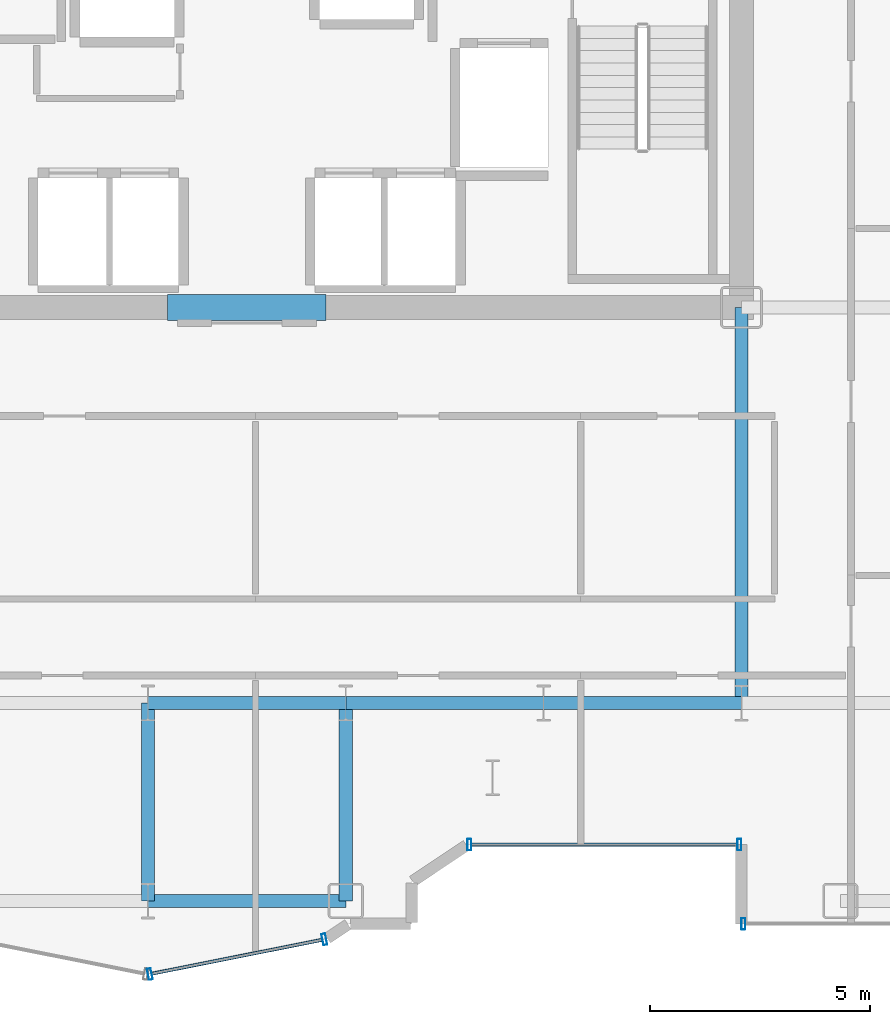
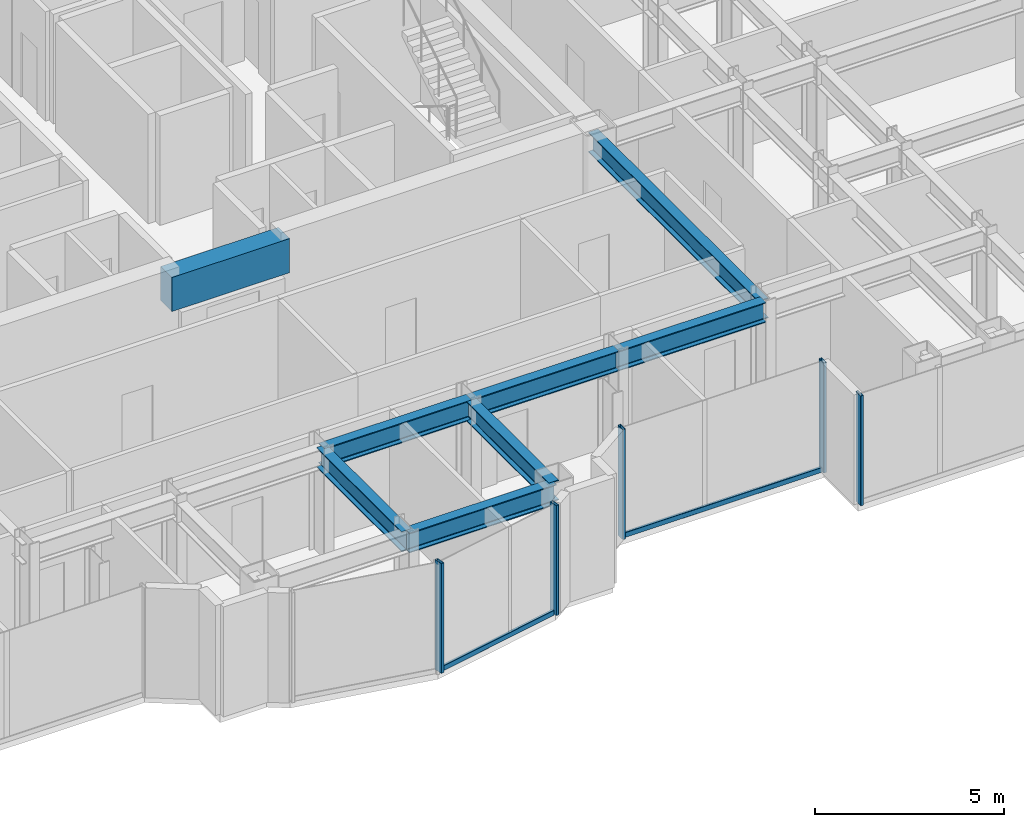
# One storey, part 7 of 23: 8 beams, 7 members, 3 elements without a shape of their own.
"""IFC4 building model written with IfcOpenShell, lengths in metres."""

from ifc_helpers import new_model, si_unit, direction, frame, origin, origin_2d, place, context, subcontext, project, spatial, rectangle, hollow_rectangle, i_section, extrude, source, transform, mapped, material, layer, layer_set, material_profile, profile_set, type_object, element, aggregate, save


model = new_model("IFC4")

# Units and contexts
model_context = context("Model", 3, precision=1e-05, world=origin(), true_north=direction((0.0, 1.0)))
body_context = subcontext(model_context, "Body", "Model", "MODEL_VIEW")
ifc_project = project(units=[si_unit("LENGTHUNIT", "METRE"), si_unit("AREAUNIT", "SQUARE_METRE"), si_unit("VOLUMEUNIT", "CUBIC_METRE"), si_unit("PLANEANGLEUNIT", "RADIAN"), si_unit("MASSUNIT", "GRAM", prefix="KILO")], contexts=[model_context])

# Site, building, storey
site_placement = place(None, origin())
site = spatial("IfcSite", under=ifc_project, at=site_placement, CompositionType="ELEMENT")
building_placement = place(site_placement, origin())
building = spatial("IfcBuilding", under=site, at=building_placement, Name="Nefas-Gora Pilgrimage Tower", CompositionType="ELEMENT")
storey_placement = place(building_placement, frame((0.0, 0.0, 167.800048828125)))
storey = spatial("IfcBuildingStorey", under=building, at=storey_placement, Name="L41", CompositionType="ELEMENT", Elevation=167.800048828125)

# Beams
ifc_material_1 = material(Name="Concrete C60/75", Category="concrete")
ifc_material_profile_1 = material_profile(ifc_material_1, rectangle(XDim=0.60009765625, YDim=1.10009765625, at=origin_2d()), Name="RC 600x1100")
ifc_profile_set_1 = profile_set([ifc_material_profile_1], Name="Concrete C60/75")
beam_type_1 = type_object("IfcBeamType", Name="BM-LIN-RC1100", PredefinedType="LINTEL", material=ifc_profile_set_1)
shared_shape_1 = source(origin(), body_context, "Body", "SweptSolid", [
    extrude(rectangle(XDim=0.60009765625, YDim=1.10009765625, at=origin_2d()), origin(), (0.0, 0.0, 1.0), 3.60009765625),
])
beam_1_placement = place(storey_placement, frame((-1.800048828125, -9.0, 3.0), z_axis=(1.0, 0.0, 0.0), x_axis=(0.0, 1.0, 0.0)))
element("IfcBeam", 1, at=beam_1_placement, inside=storey, type_object=beam_type_1, Name="L41 Core Coupling Lintel Beam S", PredefinedType="LINTEL", context=body_context, shape_type="MappedRepresentation", body=[
    mapped(shared_shape_1, transform((0.0, 0.0, 0.0), x_axis=(1.0, 0.0, 0.0), y_axis=(0.0, 1.0, 0.0), z_axis=(0.0, 0.0, 1.0), scale=1.0)),
])
ifc_material_2 = material(Name="Steel S355", Category="steel")
ifc_material_profile_2 = material_profile(ifc_material_2, i_section(OverallWidth=0.300048828125, OverallDepth=0.64990234375, WebThickness=0.01611328125, FlangeThickness=0.031005859375, FilletRadius=0.027099609375, at=origin_2d()), Name="HEB 650")
ifc_profile_set_2 = profile_set([ifc_material_profile_2], Name="Steel S355")
beam_type_2 = type_object("IfcBeamType", Name="BM-GIR-HEB650", PredefinedType="BEAM", material=ifc_profile_set_2)
shared_shape_2 = source(origin(), body_context, "Body", "SweptSolid", [
    extrude(i_section(OverallWidth=0.300048828125, OverallDepth=0.64990234375, WebThickness=0.01611328125, FlangeThickness=0.031005859375, FilletRadius=0.027099609375, at=origin_2d()), origin(), (0.0, 0.0, 1.0), 9.0),
])
beam_2_placement = place(storey_placement, frame((11.25, -18.0, 3.224853515625), z_axis=(0.0, 1.0, 0.0), x_axis=(-1.0, 0.0, 0.0)))
element("IfcBeam", 2, at=beam_2_placement, inside=storey, type_object=beam_type_2, Name="L41 G-03 beam", PredefinedType="BEAM", context=body_context, shape_type="MappedRepresentation", body=[
    mapped(shared_shape_2, transform((0.0, 0.0, 0.0), x_axis=(1.0, 0.0, 0.0), y_axis=(0.0, 1.0, 0.0), z_axis=(0.0, 0.0, 1.0), scale=1.0)),
])
shared_shape_3 = source(origin(), body_context, "Body", "SweptSolid", [
    extrude(i_section(OverallWidth=0.300048828125, OverallDepth=0.64990234375, WebThickness=0.01611328125, FlangeThickness=0.031005859375, FilletRadius=0.027099609375, at=origin_2d()), origin(), (0.0, 0.0, 1.0), 4.5),
])
for number, where, z_axis, x_axis, name in (
    (3, (-2.25, -22.5, 3.224853515625), (0.0, 1.0, 0.0), (-1.0, 0.0, 0.0), "L41 G-03 beam"),
    (4, (-2.25, -22.5, 3.224853515625), (1.0, 0.0, 0.0), (0.0, 1.0, 0.0), "L41 G-03 beam"),
    (5, (-2.25, -18.0, 3.224853515625), (1.0, 0.0, 0.0), (0.0, 1.0, 0.0), "L41 G-03 beam"),
    (6, (2.25, -22.5, 3.224853515625), (0.0, 1.0, 0.0), (-1.0, 0.0, 0.0), "L41 G-03 beam"),
    (7, (2.25, -18.0, 3.224853515625), (1.0, 0.0, 0.0), (0.0, 1.0, 0.0), "L41 G-03 beam"),
    (8, (6.75, -18.0, 3.224853515625), (1.0, 0.0, 0.0), (0.0, 1.0, 0.0), "L41 G-03 beam"),
):
    element("IfcBeam", number, at=place(storey_placement, frame(where, z_axis=z_axis, x_axis=x_axis)), inside=storey, type_object=beam_type_2, Name=name, PredefinedType="BEAM", context=body_context, shape_type="MappedRepresentation", body=[
        mapped(shared_shape_3, transform((0.0, 0.0, 0.0), x_axis=(1.0, 0.0, 0.0), y_axis=(0.0, 1.0, 0.0), z_axis=(0.0, 0.0, 1.0), scale=1.0)),
    ])

# Curtain wall, members
ifc_material_3 = material(Name="Dark ceramic-fritted solar-control aluminium-glass curtain wall", Category="aluminium")
ifc_layer_1 = layer(ifc_material_3, 0.219970703125)
ifc_layer_set_1 = layer_set([ifc_layer_1], Name="Dark ceramic-fritted solar-control aluminium-glass curtain wall")
curtain_wall_type_1 = type_object("IfcCurtainWallType", Name="CW-SYS-5", PredefinedType="NOTDEFINED", material=ifc_layer_set_1)
curtain_wall_1_placement = place(storey_placement, origin())
curtain_wall_1 = element("IfcCurtainWall", 9, at=curtain_wall_1_placement, inside=storey, type_object=curtain_wall_type_1, Name="L41 Unitised Curtain Wall CW5", PredefinedType="NOTDEFINED")
ifc_material_4 = material(Name="Anodised architectural aluminium", Category="aluminium")
ifc_material_profile_3 = material_profile(ifc_material_4, hollow_rectangle(XDim=0.090087890625, YDim=0.260009765625, WallThickness=0.006103515625, InnerFilletRadius=0.006103515625, OuterFilletRadius=0.011962890625, at=origin_2d()), Name="ALU MULLION 90x260")
ifc_profile_set_3 = profile_set([ifc_material_profile_3], Name="Anodised architectural aluminium")
member_type_1 = type_object("IfcMemberType", Name="CWM-MUL-5", PredefinedType="MULLION", material=ifc_profile_set_3)
shared_shape_4 = source(origin(), body_context, "Body", "SweptSolid", [
    extrude(hollow_rectangle(XDim=0.090087890625, YDim=0.260009765625, WallThickness=0.006103515625, InnerFilletRadius=0.006103515625, OuterFilletRadius=0.011962890625, at=origin_2d()), origin(), (0.0, 0.0, 1.0), 3.550048828125),
])
member_1_placement = place(storey_placement, frame((5.06298828125, -21.219970703125, 0.0), z_axis=(0.0, 0.0, 1.0), x_axis=(1.0, 0.0, 0.0)))
member_1 = element("IfcMember", 10, at=member_1_placement, type_object=member_type_1, Name="CW5 Mullion 1", PredefinedType="MULLION", context=body_context, shape_type="MappedRepresentation", body=[
    mapped(shared_shape_4, transform((0.0, 0.0, 0.0), x_axis=(1.0, 0.0, 0.0), y_axis=(0.0, 1.0, 0.0), z_axis=(0.0, 0.0, 1.0), scale=1.0)),
])
member_2_placement = place(storey_placement, frame((11.205078125, -21.219970703125, 0.0), z_axis=(0.0, 0.0, 1.0), x_axis=(1.0, 0.0, 0.0)))
member_2 = element("IfcMember", 11, at=member_2_placement, type_object=member_type_1, Name="CW5 Mullion 2", PredefinedType="MULLION", context=body_context, shape_type="MappedRepresentation", body=[
    mapped(shared_shape_4, transform((0.0, 0.0, 0.0), x_axis=(1.0, 0.0, 0.0), y_axis=(0.0, 1.0, 0.0), z_axis=(0.0, 0.0, 1.0), scale=1.0)),
])

curtain_wall_2_placement = place(storey_placement, origin())
curtain_wall_2 = element("IfcCurtainWall", 12, at=curtain_wall_2_placement, inside=storey, type_object=curtain_wall_type_1, Name="L41 Unitised Curtain Wall CW5", PredefinedType="NOTDEFINED")
member_3_placement = place(storey_placement, frame((-2.205810546875, -24.16357421875, 0.0), z_axis=(0.0, 0.0, 1.0), x_axis=(0.980782896852, 0.195102304554, 0.0)))
member_3 = element("IfcMember", 13, at=member_3_placement, type_object=member_type_1, Name="CW5 Mullion 1", PredefinedType="MULLION", context=body_context, shape_type="MappedRepresentation", body=[
    mapped(shared_shape_4, transform((0.0, 0.0, 0.0), x_axis=(1.0, 0.0, 0.0), y_axis=(0.0, 1.0, 0.0), z_axis=(0.0, 0.0, 1.0), scale=1.0)),
])
member_4_placement = place(storey_placement, frame((1.76318359375, -23.3740234375, 0.0), z_axis=(0.0, 0.0, 1.0), x_axis=(0.980782896852, 0.195102304554, 0.0)))
member_4 = element("IfcMember", 14, at=member_4_placement, type_object=member_type_1, Name="CW5 Mullion 2", PredefinedType="MULLION", context=body_context, shape_type="MappedRepresentation", body=[
    mapped(shared_shape_4, transform((0.0, 0.0, 0.0), x_axis=(1.0, 0.0, 0.0), y_axis=(0.0, 1.0, 0.0), z_axis=(0.0, 0.0, 1.0), scale=1.0)),
])

# Member
ifc_material_profile_4 = material_profile(ifc_material_4, hollow_rectangle(XDim=0.080078125, YDim=0.159912109375, WallThickness=0.00439453125, InnerFilletRadius=0.00439453125, OuterFilletRadius=0.009033203125, at=origin_2d()), Name="ALU TRANSOM 80x160")
ifc_profile_set_4 = profile_set([ifc_material_profile_4], Name="Anodised architectural aluminium")
member_type_2 = type_object("IfcMemberType", Name="CWM-TRN-5", PredefinedType="USERDEFINED", material=ifc_profile_set_4)
shared_shape_5 = source(origin(), body_context, "Body", "SweptSolid", [
    extrude(hollow_rectangle(XDim=0.080078125, YDim=0.159912109375, WallThickness=0.00439453125, InnerFilletRadius=0.00439453125, OuterFilletRadius=0.009033203125, at=origin_2d()), origin(), (0.0, 0.0, 1.0), 6.052001953125),
])
member_5_placement = place(storey_placement, frame((5.10791015625, -21.219970703125, 0.050048828125), z_axis=(1.0, 0.0, 0.0), x_axis=(0.0, 1.0, 0.0)))
member_5 = element("IfcMember", 15, at=member_5_placement, type_object=member_type_2, Name="CW5 Spandrel Transom", ObjectType="TRANSOM", PredefinedType="USERDEFINED", context=body_context, shape_type="MappedRepresentation", body=[
    mapped(shared_shape_5, transform((0.0, 0.0, 0.0), x_axis=(1.0, 0.0, 0.0), y_axis=(0.0, 1.0, 0.0), z_axis=(0.0, 0.0, 1.0), scale=1.0)),
])

aggregate(curtain_wall_1, [member_1, member_2, member_5])

shared_shape_6 = source(origin(), body_context, "Body", "SweptSolid", [
    extrude(hollow_rectangle(XDim=0.080078125, YDim=0.159912109375, WallThickness=0.00439453125, InnerFilletRadius=0.00439453125, OuterFilletRadius=0.009033203125, at=origin_2d()), origin(), (0.0, 0.0, 1.0), 3.95654296875),
])
member_6_placement = place(storey_placement, frame((-2.16162109375, -24.15478515625, 0.050048828125), z_axis=(0.980781880918, 0.195107411605, 0.0), x_axis=(-0.195107411605, 0.980781880918, 0.0)))
member_6 = element("IfcMember", 16, at=member_6_placement, type_object=member_type_2, Name="CW5 Spandrel Transom", ObjectType="TRANSOM", PredefinedType="USERDEFINED", context=body_context, shape_type="MappedRepresentation", body=[
    mapped(shared_shape_6, transform((0.0, 0.0, 0.0), x_axis=(1.0, 0.0, 0.0), y_axis=(0.0, 1.0, 0.0), z_axis=(0.0, 0.0, 1.0), scale=1.0)),
])

aggregate(curtain_wall_2, [member_3, member_4, member_6])

# Curtain wall, member
ifc_layer_2 = layer(ifc_material_3, 0.219970703125)
ifc_layer_set_2 = layer_set([ifc_layer_2], Name="Dark ceramic-fritted solar-control aluminium-glass curtain wall")
curtain_wall_type_2 = type_object("IfcCurtainWallType", Name="CW-SYS-3", PredefinedType="NOTDEFINED", material=ifc_layer_set_2)
curtain_wall_3_placement = place(storey_placement, origin())
curtain_wall_3 = element("IfcCurtainWall", 17, at=curtain_wall_3_placement, inside=storey, type_object=curtain_wall_type_2, Name="L41 Unitised Curtain Wall CW3", PredefinedType="NOTDEFINED")
ifc_material_profile_5 = material_profile(ifc_material_4, hollow_rectangle(XDim=0.090087890625, YDim=0.260009765625, WallThickness=0.006103515625, InnerFilletRadius=0.006103515625, OuterFilletRadius=0.011962890625, at=origin_2d()), Name="ALU MULLION 90x260")
ifc_profile_set_5 = profile_set([ifc_material_profile_5], Name="Anodised architectural aluminium")
member_type_3 = type_object("IfcMemberType", Name="CWM-MUL-3", PredefinedType="MULLION", material=ifc_profile_set_5)
shared_shape_7 = source(origin(), body_context, "Body", "SweptSolid", [
    extrude(hollow_rectangle(XDim=0.090087890625, YDim=0.260009765625, WallThickness=0.006103515625, InnerFilletRadius=0.006103515625, OuterFilletRadius=0.011962890625, at=origin_2d()), origin(), (0.0, 0.0, 1.0), 3.550048828125),
])
member_7_placement = place(storey_placement, frame((11.294921875, -23.02001953125, 0.0), z_axis=(0.0, 0.0, 1.0), x_axis=(1.0, 0.0, 0.0)))
member_7 = element("IfcMember", 18, at=member_7_placement, type_object=member_type_3, Name="CW3 Mullion 1", PredefinedType="MULLION", context=body_context, shape_type="MappedRepresentation", body=[
    mapped(shared_shape_7, transform((0.0, 0.0, 0.0), x_axis=(1.0, 0.0, 0.0), y_axis=(0.0, 1.0, 0.0), z_axis=(0.0, 0.0, 1.0), scale=1.0)),
])
aggregate(curtain_wall_3, [member_7])

save(model, "model.ifc")
